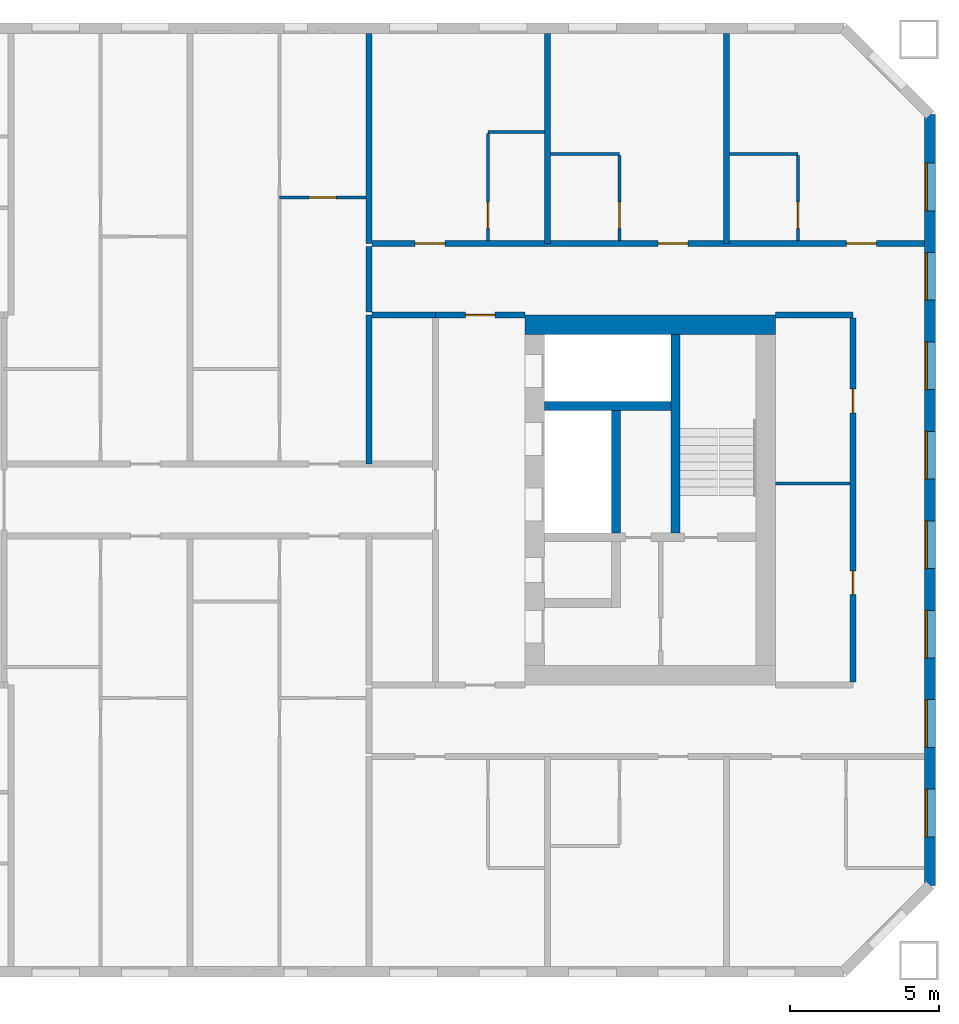
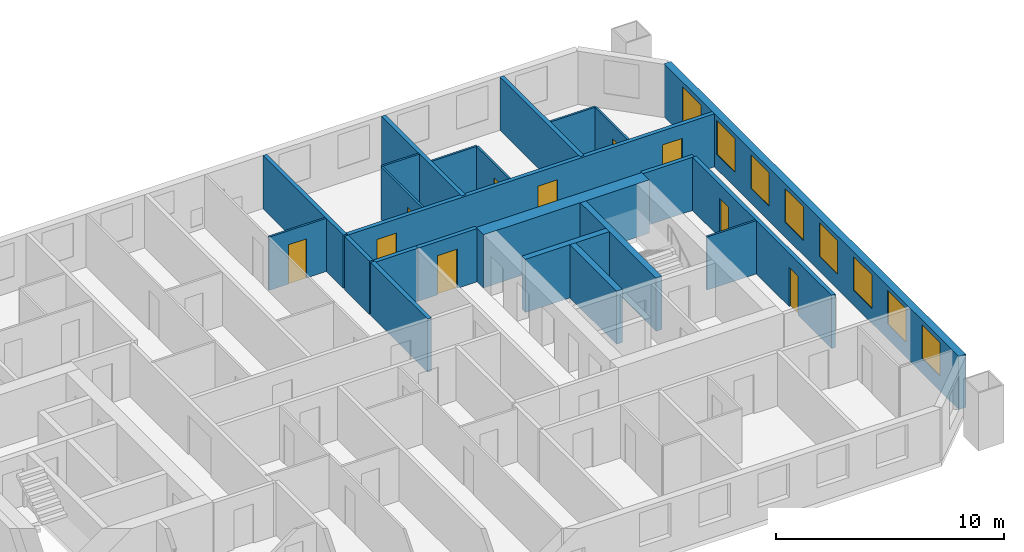
# One storey, part 13 of 16: 23 walls, 10 doors, 8 windows, 18 openings.
"""IFC4 building model written with IfcOpenShell, lengths in metres."""

from ifc_helpers import new_model, si_unit, direction, frame, frame_2d, origin, place, context, subcontext, project, spatial, rectangle, extrude, material, layer, layer_set, type_object, element, fill, save


model = new_model("IFC4")

# Units and contexts
model_context = context("Model", 3, precision=1e-05, world=origin(), true_north=direction((0.0, 1.0)))
body_context = subcontext(model_context, "Body", "Model", "MODEL_VIEW")
ifc_project = project(units=[si_unit("LENGTHUNIT", "METRE"), si_unit("AREAUNIT", "SQUARE_METRE"), si_unit("VOLUMEUNIT", "CUBIC_METRE"), si_unit("PLANEANGLEUNIT", "RADIAN"), si_unit("MASSUNIT", "GRAM", prefix="KILO")], contexts=[model_context])

# Site, building, storey
site_placement = place(None, origin())
site = spatial("IfcSite", under=ifc_project, at=site_placement, CompositionType="ELEMENT")
building_placement = place(site_placement, origin())
building = spatial("IfcBuilding", under=site, at=building_placement, Name="Tuart Gate Housing", CompositionType="ELEMENT")
storey_placement = place(building_placement, frame((0.0, 0.0, 111.89990234375)))
storey = spatial("IfcBuildingStorey", under=building, at=storey_placement, Name="L31", CompositionType="ELEMENT", Elevation=111.89990234375)

# Wall, openings, windows
ifc_material_1 = material(Name="Brick", Category="masonry")
ifc_layer_1 = layer(ifc_material_1, 0.360107421875)
ifc_layer_set_1 = layer_set([ifc_layer_1], Name="Brick pier and spandrel wall 360")
wall_type_1 = type_object("IfcWallType", Name="Brick pier and spandrel wall 360", PredefinedType="STANDARD", material=ifc_layer_set_1)
wall_1_placement = place(storey_placement, frame((173.820068359375, 57.07470703125, 0.0), z_axis=(0.0, 0.0, 1.0), x_axis=(0.0, 1.0, 0.0)))
wall_1 = element("IfcWall", 1, at=wall_1_placement, inside=storey, type_object=wall_type_1, Name="External wall B-E L31", PredefinedType="STANDARD", context=body_context, shape_type="SweptSolid", body=[
    extrude(rectangle(XDim=25.850830078125, YDim=0.360107421875, at=frame_2d((12.92529296875, 0.0))), origin(), (0.0, 0.0, 1.0), 2.85009765625),
])
opening_1_placement = place(wall_1_placement, frame((1.62548828125, 0.0, 0.800048828125)))
opening_1 = element("IfcOpeningElement", 2, at=opening_1_placement, cuts=wall_1, Name="Opening W1", PredefinedType="OPENING", context=body_context, shape_type="SweptSolid", body=[
    extrude(rectangle(XDim=1.60009765625, YDim=1.800048828125, at=frame_2d((0.800048828125, 0.89990234375))), frame((0.0, 0.18994140625, 0.0), z_axis=(0.0, -1.0, 0.0), x_axis=(1.0, 0.0, 0.0)), (0.0, 0.0, 1.0), 0.380126953125),
])
opening_2_placement = place(wall_1_placement, frame((4.62548828125, 0.0, 0.800048828125)))
opening_2 = element("IfcOpeningElement", 3, at=opening_2_placement, cuts=wall_1, Name="Opening W1", PredefinedType="OPENING", context=body_context, shape_type="SweptSolid", body=[
    extrude(rectangle(XDim=1.60009765625, YDim=1.800048828125, at=frame_2d((0.800048828125, 0.89990234375))), frame((0.0, 0.18994140625, 0.0), z_axis=(0.0, -1.0, 0.0), x_axis=(1.0, 0.0, 0.0)), (0.0, 0.0, 1.0), 0.380126953125),
])
opening_3_placement = place(wall_1_placement, frame((7.62548828125, 0.0, 0.800048828125)))
opening_3 = element("IfcOpeningElement", 4, at=opening_3_placement, cuts=wall_1, Name="Opening W1", PredefinedType="OPENING", context=body_context, shape_type="SweptSolid", body=[
    extrude(rectangle(XDim=1.60009765625, YDim=1.800048828125, at=frame_2d((0.800048828125, 0.89990234375))), frame((0.0, 0.18994140625, 0.0), z_axis=(0.0, -1.0, 0.0), x_axis=(1.0, 0.0, 0.0)), (0.0, 0.0, 1.0), 0.380126953125),
])
opening_4_placement = place(wall_1_placement, frame((10.62548828125, 0.0, 0.800048828125)))
opening_4 = element("IfcOpeningElement", 5, at=opening_4_placement, cuts=wall_1, Name="Opening W1", PredefinedType="OPENING", context=body_context, shape_type="SweptSolid", body=[
    extrude(rectangle(XDim=1.60009765625, YDim=1.800048828125, at=frame_2d((0.800048828125, 0.89990234375))), frame((0.0, 0.18994140625, 0.0), z_axis=(0.0, -1.0, 0.0), x_axis=(1.0, 0.0, 0.0)), (0.0, 0.0, 1.0), 0.380126953125),
])
opening_5_placement = place(wall_1_placement, frame((13.62548828125, 0.0, 0.800048828125)))
opening_5 = element("IfcOpeningElement", 6, at=opening_5_placement, cuts=wall_1, Name="Opening W1", PredefinedType="OPENING", context=body_context, shape_type="SweptSolid", body=[
    extrude(rectangle(XDim=1.60009765625, YDim=1.800048828125, at=frame_2d((0.800048828125, 0.89990234375))), frame((0.0, 0.18994140625, 0.0), z_axis=(0.0, -1.0, 0.0), x_axis=(1.0, 0.0, 0.0)), (0.0, 0.0, 1.0), 0.380126953125),
])
opening_6_placement = place(wall_1_placement, frame((16.62548828125, 0.0, 0.800048828125)))
opening_6 = element("IfcOpeningElement", 7, at=opening_6_placement, cuts=wall_1, Name="Opening W1", PredefinedType="OPENING", context=body_context, shape_type="SweptSolid", body=[
    extrude(rectangle(XDim=1.60009765625, YDim=1.800048828125, at=frame_2d((0.800048828125, 0.89990234375))), frame((0.0, 0.18994140625, 0.0), z_axis=(0.0, -1.0, 0.0), x_axis=(1.0, 0.0, 0.0)), (0.0, 0.0, 1.0), 0.380126953125),
])
opening_7_placement = place(wall_1_placement, frame((19.62548828125, 0.0, 0.800048828125)))
opening_7 = element("IfcOpeningElement", 8, at=opening_7_placement, cuts=wall_1, Name="Opening W1", PredefinedType="OPENING", context=body_context, shape_type="SweptSolid", body=[
    extrude(rectangle(XDim=1.60009765625, YDim=1.800048828125, at=frame_2d((0.800048828125, 0.89990234375))), frame((0.0, 0.18994140625, 0.0), z_axis=(0.0, -1.0, 0.0), x_axis=(1.0, 0.0, 0.0)), (0.0, 0.0, 1.0), 0.380126953125),
])
opening_8_placement = place(wall_1_placement, frame((22.62548828125, 0.0, 0.800048828125)))
opening_8 = element("IfcOpeningElement", 9, at=opening_8_placement, cuts=wall_1, Name="Opening W1", PredefinedType="OPENING", context=body_context, shape_type="SweptSolid", body=[
    extrude(rectangle(XDim=1.60009765625, YDim=1.800048828125, at=frame_2d((0.800048828125, 0.89990234375))), frame((0.0, 0.18994140625, 0.0), z_axis=(0.0, -1.0, 0.0), x_axis=(1.0, 0.0, 0.0)), (0.0, 0.0, 1.0), 0.380126953125),
])
ifc_material_2 = material(Name="Aluminium frame with clear glass", Category="aluminium")
window_type = type_object("IfcWindowType", Name="Punched window 1600 x 1800", PartitioningType="SINGLE_PANEL", PredefinedType="WINDOW", material=ifc_material_2)
window_1_placement = place(opening_1_placement, origin())
window_1 = element("IfcWindow", 10, at=window_1_placement, inside=storey, type_object=window_type, Name="Window W1", OverallHeight=1.800048828125, OverallWidth=1.60009765625, PartitioningType="SINGLE_PANEL", PredefinedType="WINDOW", context=body_context, shape_type="SweptSolid", body=[
    extrude(rectangle(XDim=1.60009765625, YDim=1.800048828125, at=frame_2d((0.800048828125, 0.89990234375))), frame((0.0, 0.150146484375, 0.0), z_axis=(0.0, -1.0, 0.0), x_axis=(1.0, 0.0, 0.0)), (0.0, 0.0, 1.0), 0.06005859375),
])
fill(opening_1, window_1)
window_2_placement = place(opening_2_placement, origin())
window_2 = element("IfcWindow", 11, at=window_2_placement, inside=storey, type_object=window_type, Name="Window W1", OverallHeight=1.800048828125, OverallWidth=1.60009765625, PartitioningType="SINGLE_PANEL", PredefinedType="WINDOW", context=body_context, shape_type="SweptSolid", body=[
    extrude(rectangle(XDim=1.60009765625, YDim=1.800048828125, at=frame_2d((0.800048828125, 0.89990234375))), frame((0.0, 0.150146484375, 0.0), z_axis=(0.0, -1.0, 0.0), x_axis=(1.0, 0.0, 0.0)), (0.0, 0.0, 1.0), 0.06005859375),
])
fill(opening_2, window_2)
window_3_placement = place(opening_3_placement, origin())
window_3 = element("IfcWindow", 12, at=window_3_placement, inside=storey, type_object=window_type, Name="Window W1", OverallHeight=1.800048828125, OverallWidth=1.60009765625, PartitioningType="SINGLE_PANEL", PredefinedType="WINDOW", context=body_context, shape_type="SweptSolid", body=[
    extrude(rectangle(XDim=1.60009765625, YDim=1.800048828125, at=frame_2d((0.800048828125, 0.89990234375))), frame((0.0, 0.150146484375, 0.0), z_axis=(0.0, -1.0, 0.0), x_axis=(1.0, 0.0, 0.0)), (0.0, 0.0, 1.0), 0.06005859375),
])
fill(opening_3, window_3)
window_4_placement = place(opening_4_placement, origin())
window_4 = element("IfcWindow", 13, at=window_4_placement, inside=storey, type_object=window_type, Name="Window W1", OverallHeight=1.800048828125, OverallWidth=1.60009765625, PartitioningType="SINGLE_PANEL", PredefinedType="WINDOW", context=body_context, shape_type="SweptSolid", body=[
    extrude(rectangle(XDim=1.60009765625, YDim=1.800048828125, at=frame_2d((0.800048828125, 0.89990234375))), frame((0.0, 0.150146484375, 0.0), z_axis=(0.0, -1.0, 0.0), x_axis=(1.0, 0.0, 0.0)), (0.0, 0.0, 1.0), 0.06005859375),
])
fill(opening_4, window_4)
window_5_placement = place(opening_5_placement, origin())
window_5 = element("IfcWindow", 14, at=window_5_placement, inside=storey, type_object=window_type, Name="Window W1", OverallHeight=1.800048828125, OverallWidth=1.60009765625, PartitioningType="SINGLE_PANEL", PredefinedType="WINDOW", context=body_context, shape_type="SweptSolid", body=[
    extrude(rectangle(XDim=1.60009765625, YDim=1.800048828125, at=frame_2d((0.800048828125, 0.89990234375))), frame((0.0, 0.150146484375, 0.0), z_axis=(0.0, -1.0, 0.0), x_axis=(1.0, 0.0, 0.0)), (0.0, 0.0, 1.0), 0.06005859375),
])
fill(opening_5, window_5)
window_6_placement = place(opening_6_placement, origin())
window_6 = element("IfcWindow", 15, at=window_6_placement, inside=storey, type_object=window_type, Name="Window W1", OverallHeight=1.800048828125, OverallWidth=1.60009765625, PartitioningType="SINGLE_PANEL", PredefinedType="WINDOW", context=body_context, shape_type="SweptSolid", body=[
    extrude(rectangle(XDim=1.60009765625, YDim=1.800048828125, at=frame_2d((0.800048828125, 0.89990234375))), frame((0.0, 0.150146484375, 0.0), z_axis=(0.0, -1.0, 0.0), x_axis=(1.0, 0.0, 0.0)), (0.0, 0.0, 1.0), 0.06005859375),
])
fill(opening_6, window_6)
window_7_placement = place(opening_7_placement, origin())
window_7 = element("IfcWindow", 16, at=window_7_placement, inside=storey, type_object=window_type, Name="Window W1", OverallHeight=1.800048828125, OverallWidth=1.60009765625, PartitioningType="SINGLE_PANEL", PredefinedType="WINDOW", context=body_context, shape_type="SweptSolid", body=[
    extrude(rectangle(XDim=1.60009765625, YDim=1.800048828125, at=frame_2d((0.800048828125, 0.89990234375))), frame((0.0, 0.150146484375, 0.0), z_axis=(0.0, -1.0, 0.0), x_axis=(1.0, 0.0, 0.0)), (0.0, 0.0, 1.0), 0.06005859375),
])
fill(opening_7, window_7)
window_8_placement = place(opening_8_placement, origin())
window_8 = element("IfcWindow", 17, at=window_8_placement, inside=storey, type_object=window_type, Name="Window W1", OverallHeight=1.800048828125, OverallWidth=1.60009765625, PartitioningType="SINGLE_PANEL", PredefinedType="WINDOW", context=body_context, shape_type="SweptSolid", body=[
    extrude(rectangle(XDim=1.60009765625, YDim=1.800048828125, at=frame_2d((0.800048828125, 0.89990234375))), frame((0.0, 0.150146484375, 0.0), z_axis=(0.0, -1.0, 0.0), x_axis=(1.0, 0.0, 0.0)), (0.0, 0.0, 1.0), 0.06005859375),
])
fill(opening_8, window_8)

# Walls
ifc_material_3 = material(Name="Concrete C50", Category="concrete")
ifc_layer_2 = layer(ifc_material_3, 0.300048828125)
ifc_layer_set_2 = layer_set([ifc_layer_2], Name="Core wall 300 C50")
wall_type_2 = type_object("IfcWallType", Name="Core wall 300 C50", PredefinedType="SHEAR", material=ifc_layer_set_2)
wall_2_placement = place(storey_placement, frame((160.889892578125, 73.14990234375, 0.0), z_axis=(0.0, 0.0, 1.0), x_axis=(1.0, 0.0, 0.0)))
element("IfcWall", 18, at=wall_2_placement, inside=storey, type_object=wall_type_2, Name="Core wall BK.1", PredefinedType="SHEAR", context=body_context, shape_type="SweptSolid", body=[
    extrude(rectangle(XDim=4.25, YDim=0.300048828125, at=frame_2d((2.125, 0.0))), origin(), (0.0, 0.0, 1.0), 2.85009765625),
])
wall_3_placement = place(storey_placement, frame((163.2900390625, 73.0, 0.0), z_axis=(0.0, 0.0, 1.0), x_axis=(0.0, -1.0, 0.0)))
element("IfcWall", 19, at=wall_3_placement, inside=storey, type_object=wall_type_2, Name="Core wall BK.4", PredefinedType="SHEAR", context=body_context, shape_type="SweptSolid", body=[
    extrude(rectangle(XDim=4.10009765625, YDim=0.300048828125, at=frame_2d((2.050048828125, 0.0))), origin(), (0.0, 0.0, 1.0), 2.85009765625),
])
wall_4_placement = place(storey_placement, frame((165.2900390625, 75.550048828125, 0.0), z_axis=(0.0, 0.0, 1.0), x_axis=(0.0, -1.0, 0.0)))
element("IfcWall", 20, at=wall_4_placement, inside=storey, type_object=wall_type_2, Name="Core wall BK.7", PredefinedType="SHEAR", context=body_context, shape_type="SweptSolid", body=[
    extrude(rectangle(XDim=6.650146484375, YDim=0.300048828125, at=frame_2d((3.3251953125, 0.0))), origin(), (0.0, 0.0, 1.0), 2.85009765625),
])
ifc_material_4 = material(Name="Concrete C50", Category="concrete")
ifc_layer_3 = layer(ifc_material_4, 0.64990234375)
ifc_layer_set_3 = layer_set([ifc_layer_3], Name="Core wall 650 C50")
wall_type_3 = type_object("IfcWallType", Name="Core wall 650 C50", PredefinedType="SHEAR", material=ifc_layer_set_3)
wall_5_placement = place(storey_placement, frame((160.239990234375, 75.875, 0.0), z_axis=(0.0, 0.0, 1.0), x_axis=(1.0, 0.0, 0.0)))
element("IfcWall", 21, at=wall_5_placement, inside=storey, type_object=wall_type_3, Name="Core wall BK south", PredefinedType="SHEAR", context=body_context, shape_type="SweptSolid", body=[
    extrude(rectangle(XDim=8.39990234375, YDim=0.64990234375, at=frame_2d((4.199951171875, 0.0))), origin(), (0.0, 0.0, 1.0), 2.85009765625),
])
ifc_material_5 = material(Name="Concrete masonry 15 MPa", Category="masonry")
ifc_layer_4 = layer(ifc_material_5, 0.199951171875)
ifc_layer_set_4 = layer_set([ifc_layer_4], Name="Corridor wall masonry 200")
wall_type_4 = type_object("IfcWallType", Name="Corridor wall masonry 200", PredefinedType="PARTITIONING", material=ifc_layer_set_4)
wall_6_placement = place(storey_placement, frame((155.10009765625, 76.199951171875, 0.0), z_axis=(0.0, 0.0, 1.0), x_axis=(1.0, 0.0, 0.0)))
element("IfcWall", 22, at=wall_6_placement, inside=storey, type_object=wall_type_4, Name="Corridor wall masonry 200", PredefinedType="PARTITIONING", context=body_context, shape_type="SweptSolid", body=[
    extrude(rectangle(XDim=2.139892578125, YDim=0.199951171875, at=frame_2d((1.06982421875, 0.0))), origin(), (0.0, 0.0, 1.0), 2.85009765625),
])
wall_7_placement = place(storey_placement, frame((168.639892578125, 76.199951171875, 0.0), z_axis=(0.0, 0.0, 1.0), x_axis=(1.0, 0.0, 0.0)))
element("IfcWall", 23, at=wall_7_placement, inside=storey, type_object=wall_type_4, Name="Corridor wall masonry 200", PredefinedType="PARTITIONING", context=body_context, shape_type="SweptSolid", body=[
    extrude(rectangle(XDim=2.60009765625, YDim=0.199951171875, at=frame_2d((1.300048828125, 0.0))), origin(), (0.0, 0.0, 1.0), 2.85009765625),
])

# Wall, openings, doors
wall_8_placement = place(storey_placement, frame((155.10009765625, 78.60009765625, 0.0), z_axis=(0.0, 0.0, 1.0), x_axis=(1.0, 0.0, 0.0)))
wall_8 = element("IfcWall", 24, at=wall_8_placement, inside=storey, type_object=wall_type_4, Name="Corridor wall masonry 200", PredefinedType="PARTITIONING", context=body_context, shape_type="SweptSolid", body=[
    extrude(rectangle(XDim=18.539794921875, YDim=0.199951171875, at=frame_2d((9.27001953125, 0.0))), origin(), (0.0, 0.0, 1.0), 2.85009765625),
])
opening_9_placement = place(wall_8_placement, frame((1.449951171875, 0.0, 0.0)))
opening_9 = element("IfcOpeningElement", 25, at=opening_9_placement, cuts=wall_8, Name="Opening D1246", PredefinedType="OPENING", context=body_context, shape_type="SweptSolid", body=[
    extrude(rectangle(XDim=1.0, YDim=2.10009765625, at=frame_2d((0.5, 1.050048828125))), frame((0.0, 0.10986328125, 0.0), z_axis=(0.0, -1.0, 0.0), x_axis=(1.0, 0.0, 0.0)), (0.0, 0.0, 1.0), 0.219970703125),
])
opening_10_placement = place(wall_8_placement, frame((9.60009765625, 0.0, 0.0)))
opening_10 = element("IfcOpeningElement", 26, at=opening_10_placement, cuts=wall_8, Name="Opening D1247", PredefinedType="OPENING", context=body_context, shape_type="SweptSolid", body=[
    extrude(rectangle(XDim=1.0, YDim=2.10009765625, at=frame_2d((0.5, 1.050048828125))), frame((0.0, 0.10986328125, 0.0), z_axis=(0.0, -1.0, 0.0), x_axis=(1.0, 0.0, 0.0)), (0.0, 0.0, 1.0), 0.219970703125),
])
opening_11_placement = place(wall_8_placement, frame((15.919921875, 0.0, 0.0)))
opening_11 = element("IfcOpeningElement", 27, at=opening_11_placement, cuts=wall_8, Name="Opening D1248", PredefinedType="OPENING", context=body_context, shape_type="SweptSolid", body=[
    extrude(rectangle(XDim=1.0, YDim=2.10009765625, at=frame_2d((0.5, 1.050048828125))), frame((0.0, 0.10986328125, 0.0), z_axis=(0.0, -1.0, 0.0), x_axis=(1.0, 0.0, 0.0)), (0.0, 0.0, 1.0), 0.219970703125),
])
ifc_material_6 = material(Name="Timber door leaf in steel frame", Category="steel")
door_type_1 = type_object("IfcDoorType", Name="Flat entrance door 1000", OperationType="SINGLE_SWING_LEFT", PredefinedType="DOOR", material=ifc_material_6)
door_1_placement = place(opening_10_placement, origin())
door_1 = element("IfcDoor", 28, at=door_1_placement, inside=storey, type_object=door_type_1, Name="Flat entrance door", OperationType="SINGLE_SWING_LEFT", OverallHeight=2.10009765625, OverallWidth=1.0, PredefinedType="DOOR", context=body_context, shape_type="SweptSolid", body=[
    extrude(rectangle(XDim=1.0, YDim=2.10009765625, at=frame_2d((0.5, 1.050048828125))), frame((0.0, 0.02490234375, 0.0), z_axis=(0.0, -1.0, 0.0), x_axis=(1.0, 0.0, 0.0)), (0.0, 0.0, 1.0), 0.050048828125),
])
fill(opening_10, door_1)
door_2_placement = place(opening_11_placement, origin())
door_2 = element("IfcDoor", 29, at=door_2_placement, inside=storey, type_object=door_type_1, Name="Flat entrance door", OperationType="SINGLE_SWING_LEFT", OverallHeight=2.10009765625, OverallWidth=1.0, PredefinedType="DOOR", context=body_context, shape_type="SweptSolid", body=[
    extrude(rectangle(XDim=1.0, YDim=2.10009765625, at=frame_2d((0.5, 1.050048828125))), frame((0.0, 0.02490234375, 0.0), z_axis=(0.0, -1.0, 0.0), x_axis=(1.0, 0.0, 0.0)), (0.0, 0.0, 1.0), 0.050048828125),
])
fill(opening_11, door_2)
ifc_material_7 = material(Name="Timber door leaf in steel frame", Category="steel")
door_type_2 = type_object("IfcDoorType", Name="Flat entrance door 1000 RH", OperationType="SINGLE_SWING_RIGHT", PredefinedType="DOOR", material=ifc_material_7)
door_3_placement = place(opening_9_placement, origin())
door_3 = element("IfcDoor", 30, at=door_3_placement, inside=storey, type_object=door_type_2, Name="Flat entrance door", OperationType="SINGLE_SWING_RIGHT", OverallHeight=2.10009765625, OverallWidth=1.0, PredefinedType="DOOR", context=body_context, shape_type="SweptSolid", body=[
    extrude(rectangle(XDim=1.0, YDim=2.10009765625, at=frame_2d((0.5, 1.050048828125))), frame((0.0, 0.02490234375, 0.0), z_axis=(0.0, -1.0, 0.0), x_axis=(1.0, 0.0, 0.0)), (0.0, 0.0, 1.0), 0.050048828125),
])
fill(opening_9, door_3)

# Wall
wall_9_placement = place(storey_placement, frame((155.0, 76.300048828125, 0.0), z_axis=(0.0, 0.0, 1.0), x_axis=(0.0, 1.0, 0.0)))
element("IfcWall", 31, at=wall_9_placement, inside=storey, type_object=wall_type_4, Name="Corridor wall masonry 200", PredefinedType="PARTITIONING", context=body_context, shape_type="SweptSolid", body=[
    extrude(rectangle(XDim=2.199951171875, YDim=0.199951171875, at=frame_2d((1.10009765625, 0.0))), origin(), (0.0, 0.0, 1.0), 2.85009765625),
])

# Wall, openings, doors
wall_10_placement = place(storey_placement, frame((171.239990234375, 63.89990234375, 0.0), z_axis=(0.0, 0.0, 1.0), x_axis=(0.0, 1.0, 0.0)))
wall_10 = element("IfcWall", 32, at=wall_10_placement, inside=storey, type_object=wall_type_4, Name="Corridor wall masonry 200", PredefinedType="PARTITIONING", context=body_context, shape_type="SweptSolid", body=[
    extrude(rectangle(XDim=12.2001953125, YDim=0.199951171875, at=frame_2d((6.10009765625, 0.0))), origin(), (0.0, 0.0, 1.0), 2.85009765625),
])
opening_12_placement = place(wall_10_placement, frame((2.925048828125, 0.0, 0.0)))
opening_12 = element("IfcOpeningElement", 33, at=opening_12_placement, cuts=wall_10, Name="Opening D1265", PredefinedType="OPENING", context=body_context, shape_type="SweptSolid", body=[
    extrude(rectangle(XDim=0.800048828125, YDim=2.10009765625, at=frame_2d((0.39990234375, 1.050048828125))), frame((0.0, 0.10986328125, 0.0), z_axis=(0.0, -1.0, 0.0), x_axis=(1.0, 0.0, 0.0)), (0.0, 0.0, 1.0), 0.219970703125),
])
opening_13_placement = place(wall_10_placement, frame((9.02490234375, 0.0, 0.0)))
opening_13 = element("IfcOpeningElement", 34, at=opening_13_placement, cuts=wall_10, Name="Opening D1266", PredefinedType="OPENING", context=body_context, shape_type="SweptSolid", body=[
    extrude(rectangle(XDim=0.800048828125, YDim=2.10009765625, at=frame_2d((0.39990234375, 1.050048828125))), frame((0.0, 0.10986328125, 0.0), z_axis=(0.0, -1.0, 0.0), x_axis=(1.0, 0.0, 0.0)), (0.0, 0.0, 1.0), 0.219970703125),
])
ifc_material_8 = material(Name="Timber door leaf in steel frame", Category="steel")
door_type_3 = type_object("IfcDoorType", Name="Store door 800", OperationType="SINGLE_SWING_LEFT", PredefinedType="DOOR", material=ifc_material_8)
door_4_placement = place(opening_13_placement, origin())
door_4 = element("IfcDoor", 35, at=door_4_placement, inside=storey, type_object=door_type_3, Name="Store door", OperationType="SINGLE_SWING_LEFT", OverallHeight=2.10009765625, OverallWidth=0.800048828125, PredefinedType="DOOR", context=body_context, shape_type="SweptSolid", body=[
    extrude(rectangle(XDim=0.800048828125, YDim=2.10009765625, at=frame_2d((0.39990234375, 1.050048828125))), frame((0.0, 0.02490234375, 0.0), z_axis=(0.0, -1.0, 0.0), x_axis=(1.0, 0.0, 0.0)), (0.0, 0.0, 1.0), 0.050048828125),
])
fill(opening_13, door_4)
ifc_material_9 = material(Name="Timber door leaf in steel frame", Category="steel")
door_type_4 = type_object("IfcDoorType", Name="Store door 800 RH", OperationType="SINGLE_SWING_RIGHT", PredefinedType="DOOR", material=ifc_material_9)
door_5_placement = place(opening_12_placement, origin())
door_5 = element("IfcDoor", 36, at=door_5_placement, inside=storey, type_object=door_type_4, Name="Store door", OperationType="SINGLE_SWING_RIGHT", OverallHeight=2.10009765625, OverallWidth=0.800048828125, PredefinedType="DOOR", context=body_context, shape_type="SweptSolid", body=[
    extrude(rectangle(XDim=0.800048828125, YDim=2.10009765625, at=frame_2d((0.39990234375, 1.050048828125))), frame((0.0, 0.02490234375, 0.0), z_axis=(0.0, -1.0, 0.0), x_axis=(1.0, 0.0, 0.0)), (0.0, 0.0, 1.0), 0.050048828125),
])
fill(opening_12, door_5)

# Wall, opening, door
ifc_material_10 = material(Name="Concrete masonry 15 MPa", Category="masonry")
ifc_layer_5 = layer(ifc_material_10, 0.199951171875)
ifc_layer_set_5 = layer_set([ifc_layer_5], Name="Enclosure wall masonry 200")
wall_type_5 = type_object("IfcWallType", Name="Enclosure wall masonry 200", PredefinedType="PARTITIONING", material=ifc_layer_set_5)
wall_11_placement = place(storey_placement, frame((157.239990234375, 76.199951171875, 0.0), z_axis=(0.0, 0.0, 1.0), x_axis=(1.0, 0.0, 0.0)))
wall_11 = element("IfcWall", 37, at=wall_11_placement, inside=storey, type_object=wall_type_5, Name="Enclosure wall masonry 200", PredefinedType="PARTITIONING", context=body_context, shape_type="SweptSolid", body=[
    extrude(rectangle(XDim=3.0, YDim=0.199951171875, at=frame_2d((1.5, 0.0))), origin(), (0.0, 0.0, 1.0), 2.85009765625),
])
opening_14_placement = place(wall_11_placement, frame((1.0, 0.0, 0.0)))
opening_14 = element("IfcOpeningElement", 38, at=opening_14_placement, cuts=wall_11, Name="Opening D1254", PredefinedType="OPENING", context=body_context, shape_type="SweptSolid", body=[
    extrude(rectangle(XDim=1.0, YDim=2.10009765625, at=frame_2d((0.5, 1.050048828125))), frame((0.0, 0.10986328125, 0.0), z_axis=(0.0, -1.0, 0.0), x_axis=(1.0, 0.0, 0.0)), (0.0, 0.0, 1.0), 0.219970703125),
])
ifc_material_11 = material(Name="Timber door leaf in steel frame", Category="steel")
door_type_5 = type_object("IfcDoorType", Name="Fire door 1000", OperationType="SINGLE_SWING_LEFT", PredefinedType="DOOR", material=ifc_material_11)
door_6_placement = place(opening_14_placement, origin())
door_6 = element("IfcDoor", 39, at=door_6_placement, inside=storey, type_object=door_type_5, Name="Fire door", OperationType="SINGLE_SWING_LEFT", OverallHeight=2.10009765625, OverallWidth=1.0, PredefinedType="DOOR", context=body_context, shape_type="SweptSolid", body=[
    extrude(rectangle(XDim=1.0, YDim=2.10009765625, at=frame_2d((0.5, 1.050048828125))), frame((0.0, 0.02490234375, 0.0), z_axis=(0.0, -1.0, 0.0), x_axis=(1.0, 0.0, 0.0)), (0.0, 0.0, 1.0), 0.050048828125),
])
fill(opening_14, door_6)

# Wall
ifc_material_12 = material(Name="Gypsum board on steel studs", Category="steel")
ifc_layer_6 = layer(ifc_material_12, 0.10009765625)
ifc_layer_set_6 = layer_set([ifc_layer_6], Name="Partition 100")
wall_type_6 = type_object("IfcWallType", Name="Partition 100", PredefinedType="PARTITIONING", material=ifc_layer_set_6)
wall_12_placement = place(storey_placement, frame((168.639892578125, 70.550048828125, 0.0), z_axis=(0.0, 0.0, 1.0), x_axis=(1.0, 0.0, 0.0)))
element("IfcWall", 40, at=wall_12_placement, inside=storey, type_object=wall_type_6, Name="Partition 100", PredefinedType="PARTITIONING", context=body_context, shape_type="SweptSolid", body=[
    extrude(rectangle(XDim=2.5, YDim=0.10009765625, at=frame_2d((1.25, 0.0))), origin(), (0.0, 0.0, 1.0), 2.85009765625),
])

# Wall, opening, door
wall_13_placement = place(storey_placement, frame((152.0, 80.139892578125, 0.0), z_axis=(0.0, 0.0, 1.0), x_axis=(1.0, 0.0, 0.0)))
wall_13 = element("IfcWall", 41, at=wall_13_placement, inside=storey, type_object=wall_type_6, Name="Partition 100", PredefinedType="PARTITIONING", context=body_context, shape_type="SweptSolid", body=[
    extrude(rectangle(XDim=2.89990234375, YDim=0.10009765625, at=frame_2d((1.449951171875, 0.0))), origin(), (0.0, 0.0, 1.0), 2.85009765625),
])
opening_15_placement = place(wall_13_placement, frame((1.0, 0.0, 0.0)))
opening_15 = element("IfcOpeningElement", 42, at=opening_15_placement, cuts=wall_13, Name="Opening D1240", PredefinedType="OPENING", context=body_context, shape_type="SweptSolid", body=[
    extrude(rectangle(XDim=0.89990234375, YDim=2.10009765625, at=frame_2d((0.449951171875, 1.050048828125))), frame((0.0, 0.06005859375, 0.0), z_axis=(0.0, -1.0, 0.0), x_axis=(1.0, 0.0, 0.0)), (0.0, 0.0, 1.0), 0.1201171875),
])
ifc_material_13 = material(Name="Timber door leaf in steel frame", Category="steel")
door_type_6 = type_object("IfcDoorType", Name="Internal door 900 RH", OperationType="SINGLE_SWING_RIGHT", PredefinedType="DOOR", material=ifc_material_13)
door_7_placement = place(opening_15_placement, frame((0.89990234375, 0.0, 0.0), z_axis=(0.0, 0.0, 1.0), x_axis=(-1.0, 0.0, 0.0)))
door_7 = element("IfcDoor", 43, at=door_7_placement, inside=storey, type_object=door_type_6, Name="Internal door", OperationType="SINGLE_SWING_RIGHT", OverallHeight=2.10009765625, OverallWidth=0.89990234375, PredefinedType="DOOR", context=body_context, shape_type="SweptSolid", body=[
    extrude(rectangle(XDim=0.89990234375, YDim=2.10009765625, at=frame_2d((0.449951171875, 1.050048828125))), frame((0.0, 0.025146484375, 0.0), z_axis=(0.0, -1.0, 0.0), x_axis=(1.0, 0.0, 0.0)), (0.0, 0.0, 1.0), 0.050048828125),
])
fill(opening_15, door_7)

# Walls
for number, where, z_axis, x_axis, name in (
    (44, (161.10009765625, 81.60009765625, 0.0), (0.0, 0.0, 1.0), (1.0, 0.0, 0.0), "Partition 100"),
    (45, (167.10009765625, 81.60009765625, 0.0), (0.0, 0.0, 1.0), (1.0, 0.0, 0.0), "Partition 100"),
):
    element("IfcWall", number, at=place(storey_placement, frame(where, z_axis=z_axis, x_axis=x_axis)), inside=storey, type_object=wall_type_6, Name=name, PredefinedType="PARTITIONING", context=body_context, shape_type="SweptSolid", body=[
        extrude(rectangle(XDim=2.2998046875, YDim=0.10009765625, at=frame_2d((1.14990234375, 0.0))), origin(), (0.0, 0.0, 1.0), 2.85009765625),
    ])
wall_14_placement = place(storey_placement, frame((159.0, 82.35009765625, 0.0), z_axis=(0.0, 0.0, 1.0), x_axis=(1.0, 0.0, 0.0)))
element("IfcWall", 46, at=wall_14_placement, inside=storey, type_object=wall_type_6, Name="Partition 100", PredefinedType="PARTITIONING", context=body_context, shape_type="SweptSolid", body=[
    extrude(rectangle(XDim=1.89990234375, YDim=0.10009765625, at=frame_2d((0.949951171875, 0.0))), origin(), (0.0, 0.0, 1.0), 2.85009765625),
])

# Wall, opening, door
wall_15_placement = place(storey_placement, frame((159.0, 78.699951171875, 0.0), z_axis=(0.0, 0.0, 1.0), x_axis=(0.0, 1.0, 0.0)))
wall_15 = element("IfcWall", 47, at=wall_15_placement, inside=storey, type_object=wall_type_6, Name="Partition 100", PredefinedType="PARTITIONING", context=body_context, shape_type="SweptSolid", body=[
    extrude(rectangle(XDim=3.60009765625, YDim=0.10009765625, at=frame_2d((1.800048828125, 0.0))), origin(), (0.0, 0.0, 1.0), 2.85009765625),
])
opening_16_placement = place(wall_15_placement, frame((0.39990234375, 0.0, 0.0)))
opening_16 = element("IfcOpeningElement", 48, at=opening_16_placement, cuts=wall_15, Name="Opening D1239", PredefinedType="OPENING", context=body_context, shape_type="SweptSolid", body=[
    extrude(rectangle(XDim=0.89990234375, YDim=2.10009765625, at=frame_2d((0.449951171875, 1.050048828125))), frame((0.0, 0.06005859375, 0.0), z_axis=(0.0, -1.0, 0.0), x_axis=(1.0, 0.0, 0.0)), (0.0, 0.0, 1.0), 0.1201171875),
])
ifc_material_14 = material(Name="Timber door leaf in steel frame", Category="steel")
door_type_7 = type_object("IfcDoorType", Name="Bathroom door 900 RH", OperationType="SINGLE_SWING_RIGHT", PredefinedType="DOOR", material=ifc_material_14)
door_8_placement = place(opening_16_placement, frame((0.89990234375, 0.0, 0.0), z_axis=(0.0, 0.0, 1.0), x_axis=(-1.0, 0.0, 0.0)))
door_8 = element("IfcDoor", 49, at=door_8_placement, inside=storey, type_object=door_type_7, Name="Bathroom door", OperationType="SINGLE_SWING_RIGHT", OverallHeight=2.10009765625, OverallWidth=0.89990234375, PredefinedType="DOOR", context=body_context, shape_type="SweptSolid", body=[
    extrude(rectangle(XDim=0.89990234375, YDim=2.10009765625, at=frame_2d((0.449951171875, 1.050048828125))), frame((0.0, 0.025146484375, 0.0), z_axis=(0.0, -1.0, 0.0), x_axis=(1.0, 0.0, 0.0)), (0.0, 0.0, 1.0), 0.050048828125),
])
fill(opening_16, door_8)

wall_16_placement = place(storey_placement, frame((163.39990234375, 78.699951171875, 0.0), z_axis=(0.0, 0.0, 1.0), x_axis=(0.0, 1.0, 0.0)))
wall_16 = element("IfcWall", 50, at=wall_16_placement, inside=storey, type_object=wall_type_6, Name="Partition 100", PredefinedType="PARTITIONING", context=body_context, shape_type="SweptSolid", body=[
    extrude(rectangle(XDim=2.85009765625, YDim=0.10009765625, at=frame_2d((1.425048828125, 0.0))), origin(), (0.0, 0.0, 1.0), 2.85009765625),
])
opening_17_placement = place(wall_16_placement, frame((0.39990234375, 0.0, 0.0)))
opening_17 = element("IfcOpeningElement", 51, at=opening_17_placement, cuts=wall_16, Name="Opening D1241", PredefinedType="OPENING", context=body_context, shape_type="SweptSolid", body=[
    extrude(rectangle(XDim=0.89990234375, YDim=2.10009765625, at=frame_2d((0.449951171875, 1.050048828125))), frame((0.0, 0.06005859375, 0.0), z_axis=(0.0, -1.0, 0.0), x_axis=(1.0, 0.0, 0.0)), (0.0, 0.0, 1.0), 0.1201171875),
])
ifc_material_15 = material(Name="Timber door leaf in steel frame", Category="steel")
door_type_8 = type_object("IfcDoorType", Name="Bathroom door 900", OperationType="SINGLE_SWING_LEFT", PredefinedType="DOOR", material=ifc_material_15)
door_9_placement = place(opening_17_placement, origin())
door_9 = element("IfcDoor", 52, at=door_9_placement, inside=storey, type_object=door_type_8, Name="Bathroom door", OperationType="SINGLE_SWING_LEFT", OverallHeight=2.10009765625, OverallWidth=0.89990234375, PredefinedType="DOOR", context=body_context, shape_type="SweptSolid", body=[
    extrude(rectangle(XDim=0.89990234375, YDim=2.10009765625, at=frame_2d((0.449951171875, 1.050048828125))), frame((0.0, 0.02490234375, 0.0), z_axis=(0.0, -1.0, 0.0), x_axis=(1.0, 0.0, 0.0)), (0.0, 0.0, 1.0), 0.050048828125),
])
fill(opening_17, door_9)

wall_17_placement = place(storey_placement, frame((169.39990234375, 78.699951171875, 0.0), z_axis=(0.0, 0.0, 1.0), x_axis=(0.0, 1.0, 0.0)))
wall_17 = element("IfcWall", 53, at=wall_17_placement, inside=storey, type_object=wall_type_6, Name="Partition 100", PredefinedType="PARTITIONING", context=body_context, shape_type="SweptSolid", body=[
    extrude(rectangle(XDim=2.85009765625, YDim=0.10009765625, at=frame_2d((1.425048828125, 0.0))), origin(), (0.0, 0.0, 1.0), 2.85009765625),
])
opening_18_placement = place(wall_17_placement, frame((0.39990234375, 0.0, 0.0)))
opening_18 = element("IfcOpeningElement", 54, at=opening_18_placement, cuts=wall_17, Name="Opening D1242", PredefinedType="OPENING", context=body_context, shape_type="SweptSolid", body=[
    extrude(rectangle(XDim=0.89990234375, YDim=2.10009765625, at=frame_2d((0.449951171875, 1.050048828125))), frame((0.0, 0.06005859375, 0.0), z_axis=(0.0, -1.0, 0.0), x_axis=(1.0, 0.0, 0.0)), (0.0, 0.0, 1.0), 0.1201171875),
])
door_10_placement = place(opening_18_placement, origin())
door_10 = element("IfcDoor", 55, at=door_10_placement, inside=storey, type_object=door_type_8, Name="Bathroom door", OperationType="SINGLE_SWING_LEFT", OverallHeight=2.10009765625, OverallWidth=0.89990234375, PredefinedType="DOOR", context=body_context, shape_type="SweptSolid", body=[
    extrude(rectangle(XDim=0.89990234375, YDim=2.10009765625, at=frame_2d((0.449951171875, 1.050048828125))), frame((0.0, 0.02490234375, 0.0), z_axis=(0.0, -1.0, 0.0), x_axis=(1.0, 0.0, 0.0)), (0.0, 0.0, 1.0), 0.050048828125),
])
fill(opening_18, door_10)

# Walls
ifc_material_16 = material(Name="Concrete C40", Category="concrete")
ifc_layer_7 = layer(ifc_material_16, 0.199951171875)
ifc_layer_set_7 = layer_set([ifc_layer_7], Name="Party wall concrete C40 200")
wall_type_7 = type_object("IfcWallType", Name="Party wall concrete C40 200", PredefinedType="SOLIDWALL", material=ifc_layer_set_7)
wall_18_placement = place(storey_placement, frame((155.0, 71.199951171875, 0.0), z_axis=(0.0, 0.0, 1.0), x_axis=(0.0, 1.0, 0.0)))
element("IfcWall", 56, at=wall_18_placement, inside=storey, type_object=wall_type_7, Name="Party wall concrete C40 200", PredefinedType="SOLIDWALL", context=body_context, shape_type="SweptSolid", body=[
    extrude(rectangle(XDim=5.0, YDim=0.199951171875, at=frame_2d((2.5, 0.0))), origin(), (0.0, 0.0, 1.0), 2.85009765625),
])
for number, where, z_axis, x_axis, name in (
    (57, (155.0, 78.60009765625, 0.0), (0.0, 0.0, 1.0), (0.0, 1.0, 0.0), "Party wall concrete C40 200"),
    (58, (161.0, 78.60009765625, 0.0), (0.0, 0.0, 1.0), (0.0, 1.0, 0.0), "Party wall concrete C40 200"),
    (59, (167.0, 78.60009765625, 0.0), (0.0, 0.0, 1.0), (0.0, 1.0, 0.0), "Party wall concrete C40 200"),
):
    element("IfcWall", number, at=place(storey_placement, frame(where, z_axis=z_axis, x_axis=x_axis)), inside=storey, type_object=wall_type_7, Name=name, PredefinedType="SOLIDWALL", context=body_context, shape_type="SweptSolid", body=[
        extrude(rectangle(XDim=7.039794921875, YDim=0.199951171875, at=frame_2d((3.52001953125, 0.0))), origin(), (0.0, 0.0, 1.0), 2.85009765625),
    ])

save(model, "model.ifc")
